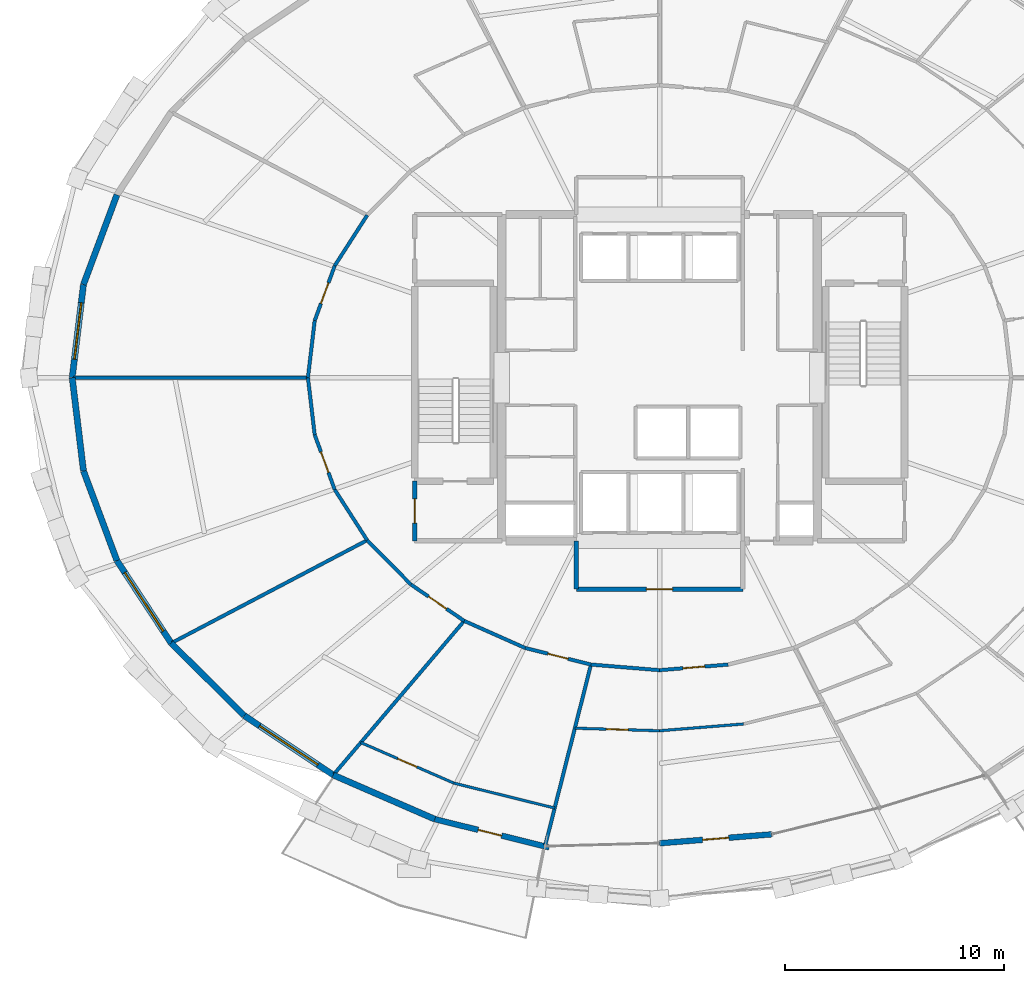
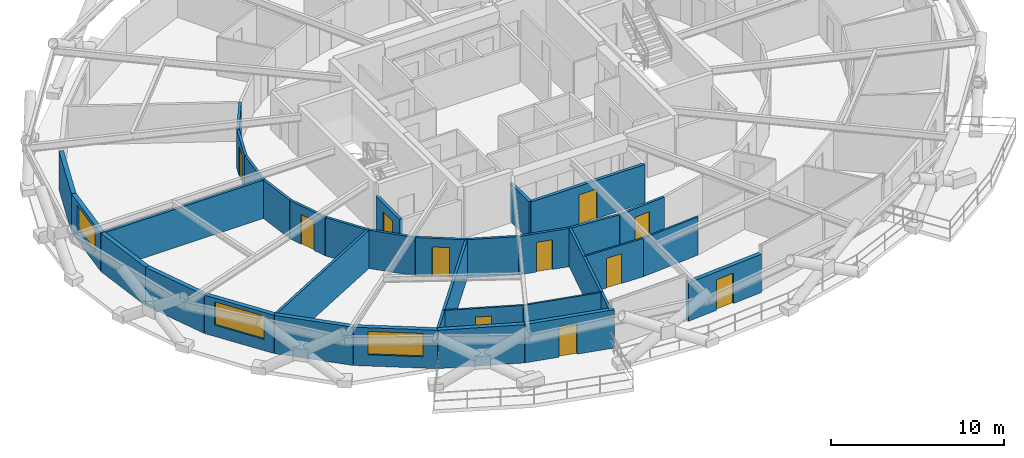
# One storey, part 7 of 14: 33 walls, 11 doors, 3 windows, 14 openings.
"""IFC4 building model written with IfcOpenShell, lengths in metres."""

from ifc_helpers import new_model, si_unit, direction, frame, frame_2d, origin, place, context, subcontext, project, spatial, rectangle, extrude, material, layer, layer_set, type_object, element, fill, save


model = new_model("IFC4")

# Units and contexts
model_context = context("Model", 3, precision=1e-05, world=origin(), true_north=direction((0.0, 1.0)))
body_context = subcontext(model_context, "Body", "Model", "MODEL_VIEW")
ifc_project = project(units=[si_unit("LENGTHUNIT", "METRE"), si_unit("AREAUNIT", "SQUARE_METRE"), si_unit("VOLUMEUNIT", "CUBIC_METRE"), si_unit("PLANEANGLEUNIT", "RADIAN"), si_unit("MASSUNIT", "GRAM", prefix="KILO")], contexts=[model_context])

# Site, building, storey
site_placement = place(None, origin())
site = spatial("IfcSite", under=ifc_project, at=site_placement, CompositionType="ELEMENT")
building_placement = place(site_placement, origin())
building = spatial("IfcBuilding", under=site, at=building_placement, Name="Veldorina Hangang Commons", CompositionType="ELEMENT")
storey_placement = place(building_placement, frame((0.0, 0.0, 62.800048828125)))
storey = spatial("IfcBuildingStorey", under=building, at=storey_placement, Name="L15", CompositionType="ELEMENT", Elevation=62.800048828125)

# Wall, opening, door
ifc_material_1 = material(Name="Stone Roman Travertine", Category="masonry")
ifc_layer_1 = layer(ifc_material_1, 0.260009765625)
ifc_layer_set_1 = layer_set([ifc_layer_1], Name="Stone Roman Travertine")
wall_type_1 = type_object("IfcWallType", Name="EW-LOGGIA-260", PredefinedType="STANDARD", material=ifc_layer_set_1)
wall_1_placement = place(storey_placement, frame((21.740234375, 3.85009765625, 0.0), z_axis=(0.0, 0.0, 1.0), x_axis=(0.970871984318, -0.239598810654, 0.0)))
wall_1 = element("IfcWall", 1, at=wall_1_placement, inside=storey, type_object=wall_type_1, Name="L15 sky-garden loggia portal wall 22", PredefinedType="STANDARD", context=body_context, shape_type="SweptSolid", body=[
    extrude(rectangle(XDim=5.381103515625, YDim=0.260009765625, at=frame_2d((2.6904296875, 0.0))), origin(), (0.0, 0.0, 1.0), 2.7099609375),
])
opening_1_placement = place(wall_1_placement, frame((2.0400390625, 0.0, 0.0)))
opening_1 = element("IfcOpeningElement", 2, at=opening_1_placement, cuts=wall_1, Name="Opening BD-1100", PredefinedType="OPENING", context=body_context, shape_type="SweptSolid", body=[
    extrude(rectangle(XDim=1.10009765625, YDim=2.14990234375, at=frame_2d((0.550048828125, 1.074951171875))), frame((0.0, 0.14013671875, 0.0), z_axis=(0.0, -1.0, 0.0), x_axis=(1.0, 0.0, 0.0)), (0.0, 0.0, 1.0), 0.280029296875),
])
ifc_material_2 = material(Name="Glass Thermal Aluminium Frame", Category="aluminium")
door_type_1 = type_object("IfcDoorType", Name="DR-EXT-BAL1100", OperationType="SINGLE_SWING_RIGHT", PredefinedType="DOOR", material=ifc_material_2)
door_1_placement = place(opening_1_placement, origin())
door_1 = element("IfcDoor", 3, at=door_1_placement, inside=storey, type_object=door_type_1, Name="L15 tree balcony glazed exterior door 22", OperationType="SINGLE_SWING_LEFT", OverallHeight=2.14990234375, OverallWidth=1.10009765625, PredefinedType="DOOR", context=body_context, shape_type="SweptSolid", body=[
    extrude(rectangle(XDim=1.10009765625, YDim=2.14990234375, at=frame_2d((0.550048828125, 1.074951171875))), frame((0.0, 0.02490234375, 0.0), z_axis=(0.0, -1.0, 0.0), x_axis=(1.0, 0.0, 0.0)), (0.0, 0.0, 1.0), 0.050048828125),
])
fill(opening_1, door_1)

wall_2_placement = place(storey_placement, frame((32.0, 2.75, 0.0), z_axis=(0.0, 0.0, 1.0), x_axis=(0.996838205284, 0.079458117812, 0.0)))
wall_2 = element("IfcWall", 4, at=wall_2_placement, inside=storey, type_object=wall_type_1, Name="L15 sky-garden loggia portal wall 24", PredefinedType="STANDARD", context=body_context, shape_type="SweptSolid", body=[
    extrude(rectangle(XDim=5.137451171875, YDim=0.260009765625, at=frame_2d((2.56884765625, 0.0))), origin(), (0.0, 0.0, 1.0), 2.7099609375),
])
opening_2_placement = place(wall_2_placement, frame((1.96875, 0.0, 0.0)))
opening_2 = element("IfcOpeningElement", 5, at=opening_2_placement, cuts=wall_2, Name="Opening BD-1200", PredefinedType="OPENING", context=body_context, shape_type="SweptSolid", body=[
    extrude(rectangle(XDim=1.199951171875, YDim=2.14990234375, at=frame_2d((0.60009765625, 1.074951171875))), frame((0.0, 0.14013671875, 0.0), z_axis=(0.0, -1.0, 0.0), x_axis=(1.0, 0.0, 0.0)), (0.0, 0.0, 1.0), 0.280029296875),
])
door_type_2 = type_object("IfcDoorType", Name="DR-EXT-LOG1200", OperationType="SINGLE_SWING_LEFT", PredefinedType="DOOR", material=ifc_material_2)
door_2_placement = place(opening_2_placement, origin())
door_2 = element("IfcDoor", 6, at=door_2_placement, inside=storey, type_object=door_type_2, Name="L15 loggia glazed exterior door 24", OperationType="SINGLE_SWING_LEFT", OverallHeight=2.14990234375, OverallWidth=1.199951171875, PredefinedType="DOOR", context=body_context, shape_type="SweptSolid", body=[
    extrude(rectangle(XDim=1.199951171875, YDim=2.14990234375, at=frame_2d((0.60009765625, 1.074951171875))), frame((0.0, 0.02490234375, 0.0), z_axis=(0.0, -1.0, 0.0), x_axis=(1.0, 0.0, 0.0)), (0.0, 0.0, 1.0), 0.050048828125),
])
fill(opening_2, door_2)

# Wall
ifc_layer_2 = layer(ifc_material_1, 0.280029296875)
ifc_layer_set_2 = layer_set([ifc_layer_2], Name="Stone Roman Travertine")
wall_type_2 = type_object("IfcWallType", Name="EW-TRAV-280", PredefinedType="STANDARD", material=ifc_layer_set_2)
wall_3_placement = place(storey_placement, frame((7.230712890625, 32.346435546875, 0.0), z_axis=(0.0, 0.0, 1.0), x_axis=(-0.349376625654, -0.936982376273, 0.0)))
element("IfcWall", 7, at=wall_3_placement, inside=storey, type_object=wall_type_2, Name="L15 travertine facade wall 14", PredefinedType="STANDARD", context=body_context, shape_type="SweptSolid", body=[
    extrude(rectangle(XDim=4.36669921875, YDim=0.280029296875, at=frame_2d((2.183349609375, 0.0))), origin(), (0.0, 0.0, 1.0), 2.7099609375),
])

# Wall, opening, window
wall_4_placement = place(storey_placement, frame((5.705078125, 28.2548828125, 0.0), z_axis=(0.0, 0.0, 1.0), x_axis=(-0.120191871487, -0.992750680699, 0.0)))
wall_4 = element("IfcWall", 8, at=wall_4_placement, inside=storey, type_object=wall_type_2, Name="L15 travertine facade wall 15", PredefinedType="STANDARD", context=body_context, shape_type="SweptSolid", body=[
    extrude(rectangle(XDim=4.285888671875, YDim=0.280029296875, at=frame_2d((2.14306640625, 0.0))), origin(), (0.0, 0.0, 1.0), 2.7099609375),
])
opening_3_placement = place(wall_4_placement, frame((0.843017578125, 0.0, 0.800048828125)))
opening_3 = element("IfcOpeningElement", 9, at=opening_3_placement, cuts=wall_4, Name="Opening W-02", PredefinedType="OPENING", context=body_context, shape_type="SweptSolid", body=[
    extrude(rectangle(XDim=2.60009765625, YDim=1.64990234375, at=frame_2d((1.300048828125, 0.824951171875))), frame((0.0, 0.14990234375, 0.0), z_axis=(0.0, -1.0, 0.0), x_axis=(1.0, 0.0, 0.0)), (0.0, 0.0, 1.0), 0.300048828125),
])
ifc_material_3 = material(Name="Glass Low-E Triple IGU", Category="glass")
window_type_1 = type_object("IfcWindowType", Name="WIN-TWR-2600", PartitioningType="SINGLE_PANEL", PredefinedType="WINDOW", material=ifc_material_3)
window_1_placement = place(opening_3_placement, origin())
window_1 = element("IfcWindow", 10, at=window_1_placement, inside=storey, type_object=window_type_1, Name="L15 facade window 15", OverallHeight=1.64990234375, OverallWidth=2.60009765625, PartitioningType="SINGLE_PANEL", PredefinedType="WINDOW", context=body_context, shape_type="SweptSolid", body=[
    extrude(rectangle(XDim=2.60009765625, YDim=1.64990234375, at=frame_2d((1.300048828125, 0.824951171875))), frame((0.0, 0.030029296875, 0.0), z_axis=(0.0, -1.0, 0.0), x_axis=(1.0, 0.0, 0.0)), (0.0, 0.0, 1.0), 0.06005859375),
])
fill(opening_3, window_1)

# Walls
wall_5_placement = place(storey_placement, frame((5.18994140625, 24.0, 0.0), z_axis=(0.0, 0.0, 1.0), x_axis=(0.120191871487, -0.992750680699, 0.0)))
element("IfcWall", 11, at=wall_5_placement, inside=storey, type_object=wall_type_2, Name="L15 travertine facade wall 16", PredefinedType="STANDARD", context=body_context, shape_type="SweptSolid", body=[
    extrude(rectangle(XDim=4.285888671875, YDim=0.280029296875, at=frame_2d((2.14306640625, 0.0))), origin(), (0.0, 0.0, 1.0), 2.7099609375),
])
wall_6_placement = place(storey_placement, frame((5.705078125, 19.7451171875, 0.0), z_axis=(0.0, 0.0, 1.0), x_axis=(0.349376625654, -0.936982376273, 0.0)))
element("IfcWall", 12, at=wall_6_placement, inside=storey, type_object=wall_type_2, Name="L15 travertine facade wall 17", PredefinedType="STANDARD", context=body_context, shape_type="SweptSolid", body=[
    extrude(rectangle(XDim=4.36669921875, YDim=0.280029296875, at=frame_2d((2.183349609375, 0.0))), origin(), (0.0, 0.0, 1.0), 2.7099609375),
])

# Wall, opening, window
wall_7_placement = place(storey_placement, frame((7.230712890625, 15.653564453125, 0.0), z_axis=(0.0, 0.0, 1.0), x_axis=(0.54914333256, -0.835728185659, 0.0)))
wall_7 = element("IfcWall", 13, at=wall_7_placement, inside=storey, type_object=wall_type_2, Name="L15 travertine facade wall 18", PredefinedType="STANDARD", context=body_context, shape_type="SweptSolid", body=[
    extrude(rectangle(XDim=4.51171875, YDim=0.280029296875, at=frame_2d((2.255859375, 0.0))), origin(), (0.0, 0.0, 1.0), 2.7099609375),
])
opening_4_placement = place(wall_7_placement, frame((0.65576171875, 0.0, 0.800048828125)))
opening_4 = element("IfcOpeningElement", 14, at=opening_4_placement, cuts=wall_7, Name="Opening W-01", PredefinedType="OPENING", context=body_context, shape_type="SweptSolid", body=[
    extrude(rectangle(XDim=3.199951171875, YDim=1.64990234375, at=frame_2d((1.60009765625, 0.824951171875))), frame((0.0, 0.14990234375, 0.0), z_axis=(0.0, -1.0, 0.0), x_axis=(1.0, 0.0, 0.0)), (0.0, 0.0, 1.0), 0.300048828125),
])
window_type_2 = type_object("IfcWindowType", Name="WIN-TWR-3200", PartitioningType="SINGLE_PANEL", PredefinedType="WINDOW", material=ifc_material_3)
window_2_placement = place(opening_4_placement, origin())
window_2 = element("IfcWindow", 15, at=window_2_placement, inside=storey, type_object=window_type_2, Name="L15 facade window 18", OverallHeight=1.64990234375, OverallWidth=3.199951171875, PartitioningType="SINGLE_PANEL", PredefinedType="WINDOW", context=body_context, shape_type="SweptSolid", body=[
    extrude(rectangle(XDim=3.199951171875, YDim=1.64990234375, at=frame_2d((1.60009765625, 0.824951171875))), frame((0.0, 0.030029296875, 0.0), z_axis=(0.0, -1.0, 0.0), x_axis=(1.0, 0.0, 0.0)), (0.0, 0.0, 1.0), 0.06005859375),
])
fill(opening_4, window_2)

# Wall
wall_8_placement = place(storey_placement, frame((9.708251953125, 11.883056640625, 0.0), z_axis=(0.0, 0.0, 1.0), x_axis=(0.710194142887, -0.704005880238, 0.0)))
element("IfcWall", 16, at=wall_8_placement, inside=storey, type_object=wall_type_2, Name="L15 travertine facade wall 19", PredefinedType="STANDARD", context=body_context, shape_type="SweptSolid", body=[
    extrude(rectangle(XDim=4.69482421875, YDim=0.280029296875, at=frame_2d((2.347412109375, 0.0))), origin(), (0.0, 0.0, 1.0), 2.7099609375),
])

# Wall, opening, window
wall_9_placement = place(storey_placement, frame((13.04248046875, 8.577880859375, 0.0), z_axis=(0.0, 0.0, 1.0), x_axis=(0.831665633672, -0.555276754213, 0.0)))
wall_9 = element("IfcWall", 17, at=wall_9_placement, inside=storey, type_object=wall_type_2, Name="L15 travertine facade wall 20", PredefinedType="STANDARD", context=body_context, shape_type="SweptSolid", body=[
    extrude(rectangle(XDim=4.884765625, YDim=0.280029296875, at=frame_2d((2.4423828125, 0.0))), origin(), (0.0, 0.0, 1.0), 2.7099609375),
])
opening_5_placement = place(wall_9_placement, frame((0.84228515625, 0.0, 0.800048828125)))
opening_5 = element("IfcOpeningElement", 18, at=opening_5_placement, cuts=wall_9, Name="Opening W-01", PredefinedType="OPENING", context=body_context, shape_type="SweptSolid", body=[
    extrude(rectangle(XDim=3.199951171875, YDim=1.64990234375, at=frame_2d((1.60009765625, 0.824951171875))), frame((0.0, 0.14990234375, 0.0), z_axis=(0.0, -1.0, 0.0), x_axis=(1.0, 0.0, 0.0)), (0.0, 0.0, 1.0), 0.300048828125),
])
window_3_placement = place(opening_5_placement, origin())
window_3 = element("IfcWindow", 19, at=window_3_placement, inside=storey, type_object=window_type_2, Name="L15 facade window 20", OverallHeight=1.64990234375, OverallWidth=3.199951171875, PartitioningType="SINGLE_PANEL", PredefinedType="WINDOW", context=body_context, shape_type="SweptSolid", body=[
    extrude(rectangle(XDim=3.199951171875, YDim=1.64990234375, at=frame_2d((1.60009765625, 0.824951171875))), frame((0.0, 0.030029296875, 0.0), z_axis=(0.0, -1.0, 0.0), x_axis=(1.0, 0.0, 0.0)), (0.0, 0.0, 1.0), 0.06005859375),
])
fill(opening_5, window_3)

# Walls
wall_10_placement = place(storey_placement, frame((17.10498046875, 5.865478515625, 0.0), z_axis=(0.0, 0.0, 1.0), x_axis=(0.917066216605, -0.398734942488, 0.0)))
element("IfcWall", 20, at=wall_10_placement, inside=storey, type_object=wall_type_2, Name="L15 travertine facade wall 21", PredefinedType="STANDARD", context=body_context, shape_type="SweptSolid", body=[
    extrude(rectangle(XDim=5.054443359375, YDim=0.280029296875, at=frame_2d((2.52734375, 0.0))), origin(), (0.0, 0.0, 1.0), 2.7099609375),
])
ifc_material_4 = material(Name="Gypsum Fire-Rated Twin Stud Wall", Category="gypsum")
ifc_layer_3 = layer(ifc_material_4, 0.159912109375)
ifc_layer_set_3 = layer_set([ifc_layer_3], Name="Gypsum Fire-Rated Twin Stud Wall")
wall_type_3 = type_object("IfcWallType", Name="WL-FIRE-160", PredefinedType="SOLIDWALL", material=ifc_layer_set_3)
wall_11_placement = place(storey_placement, frame((18.65478515625, 31.4169921875, 0.0), z_axis=(0.0, 0.0, 1.0), x_axis=(-0.540595670038, -0.841282545603, 0.0)))
element("IfcWall", 21, at=wall_11_placement, inside=storey, type_object=wall_type_3, Name="L15 Corridor outer wall 13 061", PredefinedType="SOLIDWALL", context=body_context, shape_type="SweptSolid", body=[
    extrude(rectangle(XDim=2.74365234375, YDim=0.159912109375, at=frame_2d((1.371826171875, 0.0))), origin(), (0.0, 0.0, 1.0), 2.7099609375),
])

# Wall, opening, door
wall_12_placement = place(storey_placement, frame((17.171630859375, 29.10888671875, 0.0), z_axis=(0.0, 0.0, 1.0), x_axis=(-0.342617982381, -0.939474809747, 0.0)))
wall_12 = element("IfcWall", 22, at=wall_12_placement, inside=storey, type_object=wall_type_3, Name="L15 Corridor outer wall 14 062", PredefinedType="SOLIDWALL", context=body_context, shape_type="SweptSolid", body=[
    extrude(rectangle(XDim=2.665771484375, YDim=0.159912109375, at=frame_2d((1.3330078125, 0.0))), origin(), (0.0, 0.0, 1.0), 2.7099609375),
])
opening_6_placement = place(wall_12_placement, frame((0.832763671875, 0.0, 0.0)))
opening_6 = element("IfcOpeningElement", 23, at=opening_6_placement, cuts=wall_12, Name="Opening D-05", PredefinedType="OPENING", context=body_context, shape_type="SweptSolid", body=[
    extrude(rectangle(XDim=1.0, YDim=2.10009765625, at=frame_2d((0.5, 1.050048828125))), frame((0.0, 0.08984375, 0.0), z_axis=(0.0, -1.0, 0.0), x_axis=(1.0, 0.0, 0.0)), (0.0, 0.0, 1.0), 0.179931640625),
])
ifc_material_5 = material(Name="Timber Solid Core Acoustic", Category="wood")
door_type_3 = type_object("IfcDoorType", Name="DR-INT-1000", OperationType="SINGLE_SWING_RIGHT", PredefinedType="DOOR", material=ifc_material_5)
door_3_placement = place(opening_6_placement, origin())
door_3 = element("IfcDoor", 24, at=door_3_placement, inside=storey, type_object=door_type_3, Name="L15 Floor Study Room 7 door 044", OperationType="SINGLE_SWING_RIGHT", OverallHeight=2.10009765625, OverallWidth=1.0, PredefinedType="DOOR", context=body_context, shape_type="SweptSolid", body=[
    extrude(rectangle(XDim=1.0, YDim=2.10009765625, at=frame_2d((0.5, 1.050048828125))), frame((0.0, 0.02490234375, 0.0), z_axis=(0.0, -1.0, 0.0), x_axis=(1.0, 0.0, 0.0)), (0.0, 0.0, 1.0), 0.050048828125),
])
fill(opening_6, door_3)

# Walls
for number, where, z_axis, x_axis, name in (
    (25, (16.25830078125, 26.6044921875, 0.0), (0.0, 0.0, 1.0), (-0.117570353762, -0.993064555765, 0.0), "L15 Corridor outer wall 15 063"),
    (26, (15.949951171875, 24.0, 0.0), (0.0, 0.0, 1.0), (0.117570353762, -0.993064555765, 0.0), "L15 Corridor outer wall 16 064"),
):
    element("IfcWall", number, at=place(storey_placement, frame(where, z_axis=z_axis, x_axis=x_axis)), inside=storey, type_object=wall_type_3, Name=name, PredefinedType="SOLIDWALL", context=body_context, shape_type="SweptSolid", body=[
        extrude(rectangle(XDim=2.622802734375, YDim=0.159912109375, at=frame_2d((1.3115234375, 0.0))), origin(), (0.0, 0.0, 1.0), 2.7099609375),
    ])

# Wall, opening, door
wall_13_placement = place(storey_placement, frame((16.25830078125, 21.3955078125, 0.0), z_axis=(0.0, 0.0, 1.0), x_axis=(0.342617982381, -0.939474809747, 0.0)))
wall_13 = element("IfcWall", 27, at=wall_13_placement, inside=storey, type_object=wall_type_3, Name="L15 Corridor outer wall 17 065", PredefinedType="SOLIDWALL", context=body_context, shape_type="SweptSolid", body=[
    extrude(rectangle(XDim=2.665771484375, YDim=0.159912109375, at=frame_2d((1.3330078125, 0.0))), origin(), (0.0, 0.0, 1.0), 2.7099609375),
])
opening_7_placement = place(wall_13_placement, frame((0.832763671875, 0.0, 0.0)))
opening_7 = element("IfcOpeningElement", 28, at=opening_7_placement, cuts=wall_13, Name="Opening D-05", PredefinedType="OPENING", context=body_context, shape_type="SweptSolid", body=[
    extrude(rectangle(XDim=1.0, YDim=2.10009765625, at=frame_2d((0.5, 1.050048828125))), frame((0.0, 0.08984375, 0.0), z_axis=(0.0, -1.0, 0.0), x_axis=(1.0, 0.0, 0.0)), (0.0, 0.0, 1.0), 0.179931640625),
])
door_4_placement = place(opening_7_placement, origin())
door_4 = element("IfcDoor", 29, at=door_4_placement, inside=storey, type_object=door_type_3, Name="L15 Floor Study Room 8 door 045", OperationType="SINGLE_SWING_LEFT", OverallHeight=2.10009765625, OverallWidth=1.0, PredefinedType="DOOR", context=body_context, shape_type="SweptSolid", body=[
    extrude(rectangle(XDim=1.0, YDim=2.10009765625, at=frame_2d((0.5, 1.050048828125))), frame((0.0, 0.02490234375, 0.0), z_axis=(0.0, -1.0, 0.0), x_axis=(1.0, 0.0, 0.0)), (0.0, 0.0, 1.0), 0.050048828125),
])
fill(opening_7, door_4)

# Walls
wall_14_placement = place(storey_placement, frame((17.171630859375, 18.89111328125, 0.0), z_axis=(0.0, 0.0, 1.0), x_axis=(0.540595670038, -0.841282545603, 0.0)))
element("IfcWall", 30, at=wall_14_placement, inside=storey, type_object=wall_type_3, Name="L15 Corridor outer wall 18 066", PredefinedType="SOLIDWALL", context=body_context, shape_type="SweptSolid", body=[
    extrude(rectangle(XDim=2.74365234375, YDim=0.159912109375, at=frame_2d((1.371826171875, 0.0))), origin(), (0.0, 0.0, 1.0), 2.7099609375),
])
wall_15_placement = place(storey_placement, frame((18.65478515625, 16.5830078125, 0.0), z_axis=(0.0, 0.0, 1.0), x_axis=(0.702366174226, -0.711815816981, 0.0)))
element("IfcWall", 31, at=wall_15_placement, inside=storey, type_object=wall_type_3, Name="L15 Corridor outer wall 19 067", PredefinedType="SOLIDWALL", context=body_context, shape_type="SweptSolid", body=[
    extrude(rectangle(XDim=2.842041015625, YDim=0.159912109375, at=frame_2d((1.4208984375, 0.0))), origin(), (0.0, 0.0, 1.0), 2.7099609375),
])

# Wall, opening, door
wall_16_placement = place(storey_placement, frame((20.65087890625, 14.56005859375, 0.0), z_axis=(0.0, 0.0, 1.0), x_axis=(0.825929039072, -0.563774088104, 0.0)))
wall_16 = element("IfcWall", 32, at=wall_16_placement, inside=storey, type_object=wall_type_3, Name="L15 Corridor outer wall 20 068", PredefinedType="SOLIDWALL", context=body_context, shape_type="SweptSolid", body=[
    extrude(rectangle(XDim=2.94482421875, YDim=0.159912109375, at=frame_2d((1.472412109375, 0.0))), origin(), (0.0, 0.0, 1.0), 2.7099609375),
])
opening_8_placement = place(wall_16_placement, frame((0.972412109375, 0.0, 0.0)))
opening_8 = element("IfcOpeningElement", 33, at=opening_8_placement, cuts=wall_16, Name="Opening D-05", PredefinedType="OPENING", context=body_context, shape_type="SweptSolid", body=[
    extrude(rectangle(XDim=1.0, YDim=2.10009765625, at=frame_2d((0.5, 1.050048828125))), frame((0.0, 0.08984375, 0.0), z_axis=(0.0, -1.0, 0.0), x_axis=(1.0, 0.0, 0.0)), (0.0, 0.0, 1.0), 0.179931640625),
])
door_5_placement = place(opening_8_placement, origin())
door_5 = element("IfcDoor", 34, at=door_5_placement, inside=storey, type_object=door_type_3, Name="L15 Seminar Focus Room 9 door 046", OperationType="SINGLE_SWING_RIGHT", OverallHeight=2.10009765625, OverallWidth=1.0, PredefinedType="DOOR", context=body_context, shape_type="SweptSolid", body=[
    extrude(rectangle(XDim=1.0, YDim=2.10009765625, at=frame_2d((0.5, 1.050048828125))), frame((0.0, 0.02490234375, 0.0), z_axis=(0.0, -1.0, 0.0), x_axis=(1.0, 0.0, 0.0)), (0.0, 0.0, 1.0), 0.050048828125),
])
fill(opening_8, door_5)

# Wall
wall_17_placement = place(storey_placement, frame((23.0830078125, 12.89990234375, 0.0), z_axis=(0.0, 0.0, 1.0), x_axis=(0.913768445178, -0.406235434936, 0.0)))
element("IfcWall", 35, at=wall_17_placement, inside=storey, type_object=wall_type_3, Name="L15 Corridor outer wall 21 069", PredefinedType="SOLIDWALL", context=body_context, shape_type="SweptSolid", body=[
    extrude(rectangle(XDim=3.036865234375, YDim=0.159912109375, at=frame_2d((1.5185546875, 0.0))), origin(), (0.0, 0.0, 1.0), 2.7099609375),
])

# Wall, opening, door
wall_18_placement = place(storey_placement, frame((25.85791015625, 11.666259765625, 0.0), z_axis=(0.0, 0.0, 1.0), x_axis=(0.969608333194, -0.244662380029, 0.0)))
wall_18 = element("IfcWall", 36, at=wall_18_placement, inside=storey, type_object=wall_type_3, Name="L15 Corridor outer wall 22 070", PredefinedType="SOLIDWALL", context=body_context, shape_type="SweptSolid", body=[
    extrude(rectangle(XDim=3.10546875, YDim=0.159912109375, at=frame_2d((1.552734375, 0.0))), origin(), (0.0, 0.0, 1.0), 2.7099609375),
])
opening_9_placement = place(wall_18_placement, frame((1.07763671875, 0.0, 0.0)))
opening_9 = element("IfcOpeningElement", 37, at=opening_9_placement, cuts=wall_18, Name="Opening D-02", PredefinedType="OPENING", context=body_context, shape_type="SweptSolid", body=[
    extrude(rectangle(XDim=0.949951171875, YDim=2.10009765625, at=frame_2d((0.47509765625, 1.050048828125))), frame((0.0, 0.08984375, 0.0), z_axis=(0.0, -1.0, 0.0), x_axis=(1.0, 0.0, 0.0)), (0.0, 0.0, 1.0), 0.179931640625),
])
door_type_4 = type_object("IfcDoorType", Name="DR-INT-950", OperationType="SINGLE_SWING_LEFT", PredefinedType="DOOR", material=ifc_material_5)
door_6_placement = place(opening_9_placement, origin())
door_6 = element("IfcDoor", 38, at=door_6_placement, inside=storey, type_object=door_type_4, Name="L15 Linen drying store door 047", OperationType="SINGLE_SWING_LEFT", OverallHeight=2.10009765625, OverallWidth=0.949951171875, PredefinedType="DOOR", context=body_context, shape_type="SweptSolid", body=[
    extrude(rectangle(XDim=0.949951171875, YDim=2.10009765625, at=frame_2d((0.47509765625, 1.050048828125))), frame((0.0, 0.02490234375, 0.0), z_axis=(0.0, -1.0, 0.0), x_axis=(1.0, 0.0, 0.0)), (0.0, 0.0, 1.0), 0.050048828125),
])
fill(opening_9, door_6)

# Wall
wall_19_placement = place(storey_placement, frame((28.868896484375, 10.906494140625, 0.0), z_axis=(0.0, 0.0, 1.0), x_axis=(0.996658973252, -0.081675522876, 0.0)))
element("IfcWall", 39, at=wall_19_placement, inside=storey, type_object=wall_type_3, Name="L15 Corridor outer wall 23 071", PredefinedType="SOLIDWALL", context=body_context, shape_type="SweptSolid", body=[
    extrude(rectangle(XDim=3.1416015625, YDim=0.159912109375, at=frame_2d((1.57080078125, 0.0))), origin(), (0.0, 0.0, 1.0), 2.7099609375),
])

# Wall, opening, door
wall_20_placement = place(storey_placement, frame((32.0, 10.64990234375, 0.0), z_axis=(0.0, 0.0, 1.0), x_axis=(0.996658973252, 0.081675522876, 0.0)))
wall_20 = element("IfcWall", 40, at=wall_20_placement, inside=storey, type_object=wall_type_3, Name="L15 Corridor outer wall 24 072", PredefinedType="SOLIDWALL", context=body_context, shape_type="SweptSolid", body=[
    extrude(rectangle(XDim=3.1416015625, YDim=0.159912109375, at=frame_2d((1.57080078125, 0.0))), origin(), (0.0, 0.0, 1.0), 2.7099609375),
])
opening_10_placement = place(wall_20_placement, frame((1.07080078125, 0.0, 0.0)))
opening_10 = element("IfcOpeningElement", 41, at=opening_10_placement, cuts=wall_20, Name="Opening D-05", PredefinedType="OPENING", context=body_context, shape_type="SweptSolid", body=[
    extrude(rectangle(XDim=1.0, YDim=2.10009765625, at=frame_2d((0.5, 1.050048828125))), frame((0.0, 0.08984375, 0.0), z_axis=(0.0, -1.0, 0.0), x_axis=(1.0, 0.0, 0.0)), (0.0, 0.0, 1.0), 0.179931640625),
])
door_7_placement = place(opening_10_placement, origin())
door_7 = element("IfcDoor", 42, at=door_7_placement, inside=storey, type_object=door_type_3, Name="L15 Commons alcove door 020", OperationType="SINGLE_SWING_RIGHT", OverallHeight=2.10009765625, OverallWidth=1.0, PredefinedType="DOOR", context=body_context, shape_type="SweptSolid", body=[
    extrude(rectangle(XDim=1.0, YDim=2.10009765625, at=frame_2d((0.5, 1.050048828125))), frame((0.0, 0.02490234375, 0.0), z_axis=(0.0, -1.0, 0.0), x_axis=(1.0, 0.0, 0.0)), (0.0, 0.0, 1.0), 0.050048828125),
])
fill(opening_10, door_7)

# Walls
wall_21_placement = place(storey_placement, frame((28.868896484375, 10.906494140625, 0.0), z_axis=(0.0, 0.0, 1.0), x_axis=(-0.245262126669, -0.969456801112, 0.0)))
element("IfcWall", 43, at=wall_21_placement, inside=storey, type_object=wall_type_3, Name="L15 Unit party wall 23 080", PredefinedType="SOLIDWALL", context=body_context, shape_type="SweptSolid", body=[
    extrude(rectangle(XDim=8.509033203125, YDim=0.159912109375, at=frame_2d((4.25439453125, 0.0))), origin(), (0.0, 0.0, 1.0), 2.7099609375),
])
wall_22_placement = place(storey_placement, frame((15.949951171875, 24.0, 0.0), z_axis=(0.0, 0.0, 1.0), x_axis=(-1.0, 0.0, 0.0)))
element("IfcWall", 44, at=wall_22_placement, inside=storey, type_object=wall_type_3, Name="L15 Unit party wall 16 122", PredefinedType="SOLIDWALL", context=body_context, shape_type="SweptSolid", body=[
    extrude(rectangle(XDim=10.7099609375, YDim=0.159912109375, at=frame_2d((5.35498046875, 0.0))), origin(), (0.0, 0.0, 1.0), 2.7099609375),
])
wall_23_placement = place(storey_placement, frame((18.65478515625, 16.5830078125, 0.0), z_axis=(0.0, 0.0, 1.0), x_axis=(-0.885273971372, -0.465069882503, 0.0)))
element("IfcWall", 45, at=wall_23_placement, inside=storey, type_object=wall_type_3, Name="L15 Unit party wall 19 123", PredefinedType="SOLIDWALL", context=body_context, shape_type="SweptSolid", body=[
    extrude(rectangle(XDim=10.05615234375, YDim=0.159912109375, at=frame_2d((5.028076171875, 0.0))), origin(), (0.0, 0.0, 1.0), 2.7099609375),
])
wall_24_placement = place(storey_placement, frame((23.0830078125, 12.89990234375, 0.0), z_axis=(0.0, 0.0, 1.0), x_axis=(-0.647577404289, -0.761999675495, 0.0)))
element("IfcWall", 46, at=wall_24_placement, inside=storey, type_object=wall_type_3, Name="L15 Unit party wall 21 124", PredefinedType="SOLIDWALL", context=body_context, shape_type="SweptSolid", body=[
    extrude(rectangle(XDim=9.18115234375, YDim=0.159912109375, at=frame_2d((4.590576171875, 0.0))), origin(), (0.0, 0.0, 1.0), 2.7099609375),
])

# Wall, opening, door
ifc_material_6 = material(Name="Concrete Blockwork Fire Wall C30/37", Category="masonry")
ifc_layer_4 = layer(ifc_material_6, 0.199951171875)
ifc_layer_set_4 = layer_set([ifc_layer_4], Name="Concrete Blockwork Fire Wall C30/37")
wall_type_4 = type_object("IfcWallType", Name="WL-FIRE-200", PredefinedType="SOLIDWALL", material=ifc_layer_set_4)
wall_25_placement = place(storey_placement, frame((20.820068359375, 16.550048828125, 0.0), z_axis=(0.0, 0.0, 1.0), x_axis=(0.0, 1.0, 0.0)))
wall_25 = element("IfcWall", 47, at=wall_25_placement, inside=storey, type_object=wall_type_4, Name="L15 West vestibule outer wall 001", PredefinedType="SOLIDWALL", context=body_context, shape_type="SweptSolid", body=[
    extrude(rectangle(XDim=2.72998046875, YDim=0.199951171875, at=frame_2d((1.364990234375, 0.0))), origin(), (0.0, 0.0, 1.0), 2.7099609375),
])
opening_11_placement = place(wall_25_placement, frame((0.81494140625, 0.0, 0.0)))
opening_11 = element("IfcOpeningElement", 48, at=opening_11_placement, cuts=wall_25, Name="Opening D-08", PredefinedType="OPENING", context=body_context, shape_type="SweptSolid", body=[
    extrude(rectangle(XDim=1.10009765625, YDim=2.10009765625, at=frame_2d((0.550048828125, 1.050048828125))), frame((0.0, 0.10986328125, 0.0), z_axis=(0.0, -1.0, 0.0), x_axis=(1.0, 0.0, 0.0)), (0.0, 0.0, 1.0), 0.219970703125),
])
ifc_material_7 = material(Name="Steel Fire-Rated Smoke Seal", Category="steel")
door_type_5 = type_object("IfcDoorType", Name="DR-FIRE-1100", OperationType="SINGLE_SWING_RIGHT", PredefinedType="DOOR", material=ifc_material_7)
door_8_placement = place(opening_11_placement, origin())
door_8 = element("IfcDoor", 49, at=door_8_placement, inside=storey, type_object=door_type_5, Name="L15 West vestibule west door 001", OperationType="SINGLE_SWING_LEFT", OverallHeight=2.10009765625, OverallWidth=1.10009765625, PredefinedType="DOOR", context=body_context, shape_type="SweptSolid", body=[
    extrude(rectangle(XDim=1.10009765625, YDim=2.10009765625, at=frame_2d((0.550048828125, 1.050048828125))), frame((0.0, 0.02490234375, 0.0), z_axis=(0.0, -1.0, 0.0), x_axis=(1.0, 0.0, 0.0)), (0.0, 0.0, 1.0), 0.050048828125),
])
fill(opening_11, door_8)

# Wall
wall_26_placement = place(storey_placement, frame((28.199951171875, 14.35009765625, 0.0), z_axis=(0.0, 0.0, 1.0), x_axis=(0.0, 1.0, 0.0)))
element("IfcWall", 50, at=wall_26_placement, inside=storey, type_object=wall_type_4, Name="L15 FF lobby west wall 012", PredefinedType="SOLIDWALL", context=body_context, shape_type="SweptSolid", body=[
    extrude(rectangle(XDim=2.199951171875, YDim=0.199951171875, at=frame_2d((1.10009765625, 0.0))), origin(), (0.0, 0.0, 1.0), 2.7099609375),
])

# Wall, opening, door
wall_27_placement = place(storey_placement, frame((28.199951171875, 14.35009765625, 0.0), z_axis=(0.0, 0.0, 1.0), x_axis=(1.0, 0.0, 0.0)))
wall_27 = element("IfcWall", 51, at=wall_27_placement, inside=storey, type_object=wall_type_4, Name="L15 FF lobby south wall 014", PredefinedType="SOLIDWALL", context=body_context, shape_type="SweptSolid", body=[
    extrude(rectangle(XDim=7.60009765625, YDim=0.199951171875, at=frame_2d((3.800048828125, 0.0))), origin(), (0.0, 0.0, 1.0), 2.7099609375),
])
opening_12_placement = place(wall_27_placement, frame((3.199951171875, 0.0, 0.0)))
opening_12 = element("IfcOpeningElement", 52, at=opening_12_placement, cuts=wall_27, Name="Opening D-09", PredefinedType="OPENING", context=body_context, shape_type="SweptSolid", body=[
    extrude(rectangle(XDim=1.199951171875, YDim=2.10009765625, at=frame_2d((0.60009765625, 1.050048828125))), frame((0.0, 0.10986328125, 0.0), z_axis=(0.0, -1.0, 0.0), x_axis=(1.0, 0.0, 0.0)), (0.0, 0.0, 1.0), 0.219970703125),
])
ifc_material_8 = material(Name="Steel Fire-Rated Corridor Door", Category="steel")
door_type_6 = type_object("IfcDoorType", Name="DR-FIRE-1200", OperationType="SINGLE_SWING_LEFT", PredefinedType="DOOR", material=ifc_material_8)
door_9_placement = place(opening_12_placement, origin())
door_9 = element("IfcDoor", 53, at=door_9_placement, inside=storey, type_object=door_type_6, Name="L15 FF lobby south corridor door 005", OperationType="SINGLE_SWING_LEFT", OverallHeight=2.10009765625, OverallWidth=1.199951171875, PredefinedType="DOOR", context=body_context, shape_type="SweptSolid", body=[
    extrude(rectangle(XDim=1.199951171875, YDim=2.10009765625, at=frame_2d((0.60009765625, 1.050048828125))), frame((0.0, 0.02490234375, 0.0), z_axis=(0.0, -1.0, 0.0), x_axis=(1.0, 0.0, 0.0)), (0.0, 0.0, 1.0), 0.050048828125),
])
fill(opening_12, door_9)

ifc_material_9 = material(Name="Gypsum Acoustic Stud Partition", Category="gypsum")
ifc_layer_5 = layer(ifc_material_9, 0.1201171875)
ifc_layer_set_5 = layer_set([ifc_layer_5], Name="Gypsum Acoustic Stud Partition")
wall_type_5 = type_object("IfcWallType", Name="WL-PART-120", PredefinedType="PARTITIONING", material=ifc_layer_set_5)
wall_28_placement = place(storey_placement, frame((28.134033203125, 8.00244140625, 0.0), z_axis=(0.0, 0.0, 1.0), x_axis=(0.999538975919, -0.030361745969, 0.0)))
wall_28 = element("IfcWall", 54, at=wall_28_placement, inside=storey, type_object=wall_type_5, Name="L15 Lounge alcove split 0 081", PredefinedType="PARTITIONING", context=body_context, shape_type="SweptSolid", body=[
    extrude(rectangle(XDim=3.86767578125, YDim=0.1201171875, at=frame_2d((1.933837890625, 0.0))), origin(), (0.0, 0.0, 1.0), 2.7099609375),
])
opening_13_placement = place(wall_28_placement, frame((1.433837890625, 0.0, 0.0)))
opening_13 = element("IfcOpeningElement", 55, at=opening_13_placement, cuts=wall_28, Name="Opening D-05", PredefinedType="OPENING", context=body_context, shape_type="SweptSolid", body=[
    extrude(rectangle(XDim=1.0, YDim=2.10009765625, at=frame_2d((0.5, 1.050048828125))), frame((0.0, 0.070068359375, 0.0), z_axis=(0.0, -1.0, 0.0), x_axis=(1.0, 0.0, 0.0)), (0.0, 0.0, 1.0), 0.14013671875),
])
door_10_placement = place(opening_13_placement, origin())
door_10 = element("IfcDoor", 56, at=door_10_placement, inside=storey, type_object=door_type_3, Name="L15 Commons lounge door 021", OperationType="SINGLE_SWING_LEFT", OverallHeight=2.10009765625, OverallWidth=1.0, PredefinedType="DOOR", context=body_context, shape_type="SweptSolid", body=[
    extrude(rectangle(XDim=1.0, YDim=2.10009765625, at=frame_2d((0.5, 1.050048828125))), frame((0.0, 0.02490234375, 0.0), z_axis=(0.0, -1.0, 0.0), x_axis=(1.0, 0.0, 0.0)), (0.0, 0.0, 1.0), 0.050048828125),
])
fill(opening_13, door_10)

# Wall
wall_29_placement = place(storey_placement, frame((32.0, 7.885009765625, 0.0), z_axis=(0.0, 0.0, 1.0), x_axis=(0.99674536007, 0.080614435296, 0.0)))
element("IfcWall", 57, at=wall_29_placement, inside=storey, type_object=wall_type_5, Name="L15 Lounge alcove split 1 082", PredefinedType="PARTITIONING", context=body_context, shape_type="SweptSolid", body=[
    extrude(rectangle(XDim=3.840087890625, YDim=0.1201171875, at=frame_2d((1.919921875, 0.0))), origin(), (0.0, 0.0, 1.0), 2.7099609375),
])

# Wall, opening, door
wall_30_placement = place(storey_placement, frame((18.3642578125, 7.347412109375, 0.0), z_axis=(0.0, 0.0, 1.0), x_axis=(0.916605794734, -0.399792217357, 0.0)))
wall_30 = element("IfcWall", 58, at=wall_30_placement, inside=storey, type_object=wall_type_5, Name="L15 Laundry split 0 125", PredefinedType="PARTITIONING", context=body_context, shape_type="SweptSolid", body=[
    extrude(rectangle(XDim=4.62939453125, YDim=0.1201171875, at=frame_2d((2.314697265625, 0.0))), origin(), (0.0, 0.0, 1.0), 2.7099609375),
])
opening_14_placement = place(wall_30_placement, frame((1.839599609375, 0.0, 0.0)))
opening_14 = element("IfcOpeningElement", 59, at=opening_14_placement, cuts=wall_30, Name="Opening D-02", PredefinedType="OPENING", context=body_context, shape_type="SweptSolid", body=[
    extrude(rectangle(XDim=0.949951171875, YDim=2.10009765625, at=frame_2d((0.47509765625, 1.050048828125))), frame((0.0, 0.070068359375, 0.0), z_axis=(0.0, -1.0, 0.0), x_axis=(1.0, 0.0, 0.0)), (0.0, 0.0, 1.0), 0.14013671875),
])
door_11_placement = place(opening_14_placement, origin())
door_11 = element("IfcDoor", 60, at=door_11_placement, inside=storey, type_object=door_type_4, Name="L15 Resident laundry inner door 048", OperationType="SINGLE_SWING_RIGHT", OverallHeight=2.10009765625, OverallWidth=0.949951171875, PredefinedType="DOOR", context=body_context, shape_type="SweptSolid", body=[
    extrude(rectangle(XDim=0.949951171875, YDim=2.10009765625, at=frame_2d((0.47509765625, 1.050048828125))), frame((0.0, 0.02490234375, 0.0), z_axis=(0.0, -1.0, 0.0), x_axis=(1.0, 0.0, 0.0)), (0.0, 0.0, 1.0), 0.050048828125),
])
fill(opening_14, door_11)

# Wall
wall_31_placement = place(storey_placement, frame((22.607666015625, 5.49658203125, 0.0), z_axis=(0.0, 0.0, 1.0), x_axis=(0.970694040169, -0.240318705846, 0.0)))
element("IfcWall", 61, at=wall_31_placement, inside=storey, type_object=wall_type_5, Name="L15 Laundry split 1 126", PredefinedType="PARTITIONING", context=body_context, shape_type="SweptSolid", body=[
    extrude(rectangle(XDim=4.7431640625, YDim=0.1201171875, at=frame_2d((2.37158203125, 0.0))), origin(), (0.0, 0.0, 1.0), 2.7099609375),
])

save(model, "model.ifc")
